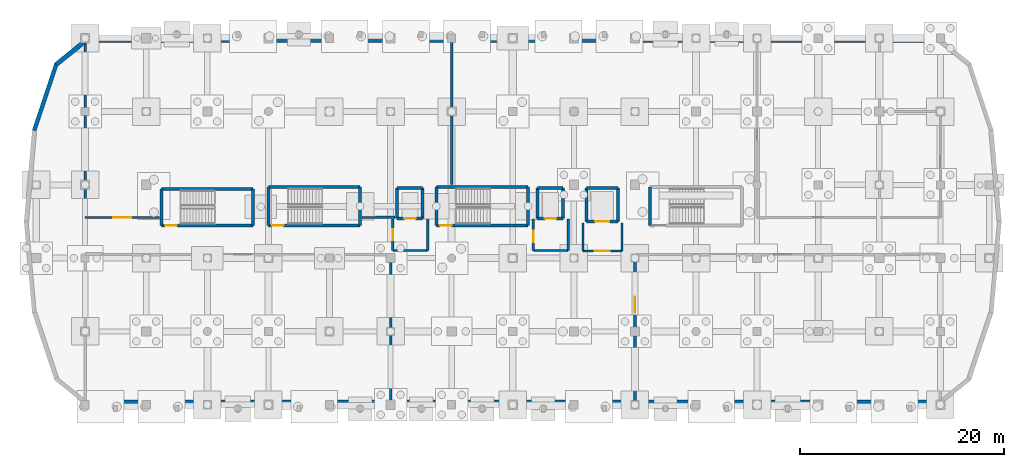
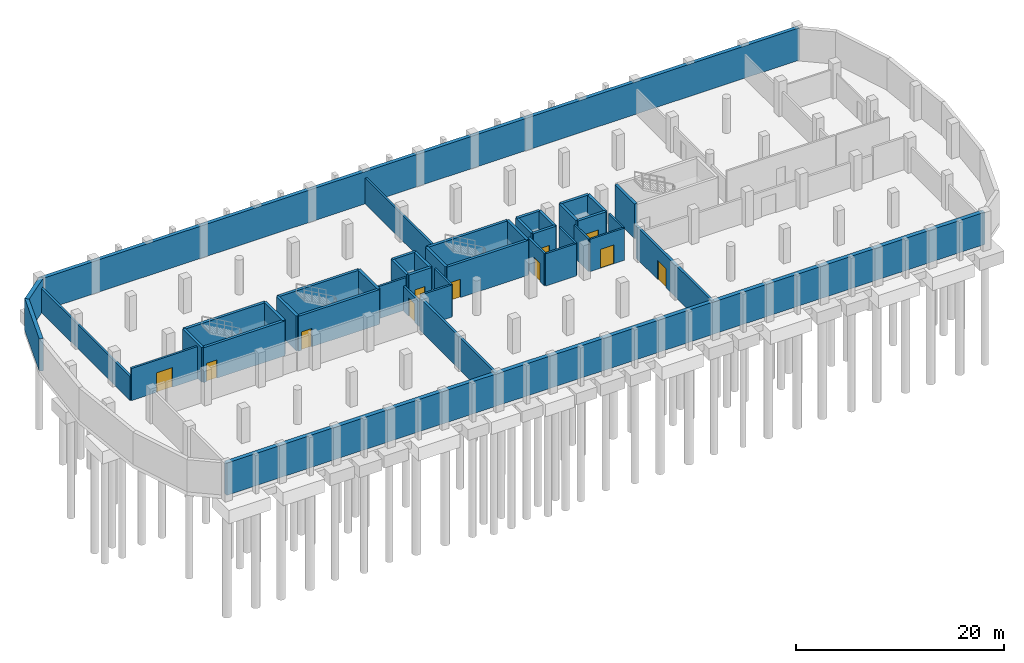
# One storey, part 6 of 11: 44 walls, 11 doors, 11 openings.
"""IFC4 building model written with IfcOpenShell, lengths in metres."""

import ifcopenshell
import ifcopenshell.guid

model = None  # the IFC model being written
_history = None  # IfcOwnerHistory: only IFC2X3 demands one
_inside = {}  # id of a spatial element -> (the spatial element, [elements in it])
_under = {}  # id of a project, library or spatial element -> (it, [spatial elements below it])
_declared = {}  # id of a project -> (the project, [libraries it declares])
_typed = {}  # id of a type object -> (the type object, [elements of that type])
_made_of = {}  # id of a material, layer set ... -> (it, [elements and type objects made of it])


def new_model(schema):
    """Start an empty IFC model of exactly this schema.

    Asked for "IFC4X3", IfcOpenShell would pick the latest addendum, in which some entities
    have other attributes; the version numbers below select the first issue.
    IFC2X3 requires an IfcOwnerHistory on every rooted entity: one is made here for all.
    """
    global model, _history
    if schema == "IFC4X3":
        model = ifcopenshell.file(schema_version=(4, 3, 0, 0))
    else:
        model = ifcopenshell.file(schema=schema)
    _inside.clear()
    _under.clear()
    _declared.clear()
    _typed.clear()
    _made_of.clear()
    _history = None
    if model.schema == "IFC2X3":
        org = make("IfcOrganization", Name="unknown")
        user = make(
            "IfcPersonAndOrganization",
            ThePerson=make("IfcPerson", FamilyName="unknown"),
            TheOrganization=org,
        )
        app = make(
            "IfcApplication",
            ApplicationDeveloper=org,
            Version="unknown",
            ApplicationFullName="unknown",
            ApplicationIdentifier="unknown",
        )
        _history = make(
            "IfcOwnerHistory",
            OwningUser=user,
            OwningApplication=app,
            ChangeAction="ADDED",
            CreationDate=0,
        )
    return model


def make(cls, **values):
    """One entity of the class cls with the attributes given. An attribute that is None is left unset."""
    return model.create_entity(
        cls, **{name: value for name, value in values.items() if value is not None}
    )


def rooted(cls, **values):
    """An entity with a GlobalId (a new one), such as an element, a storey or a relation."""
    return make(cls, GlobalId=ifcopenshell.guid.new(), OwnerHistory=_history, **values)


def si_unit(unit_type, name, prefix=None):
    """IfcSIUnit, for example si_unit("LENGTHUNIT", "METRE", prefix="MILLI")."""
    return make("IfcSIUnit", UnitType=unit_type, Prefix=prefix, Name=name)


def assignment(units):
    """IfcUnitAssignment: the units of a project."""
    return None if units is None else make("IfcUnitAssignment", Units=units)


def point(xyz):
    """IfcCartesianPoint."""
    return None if xyz is None else make("IfcCartesianPoint", Coordinates=xyz)


def direction(xyz):
    """IfcDirection."""
    return None if xyz is None else make("IfcDirection", DirectionRatios=xyz)


def frame(location, z_axis=None, x_axis=None):
    """IfcAxis2Placement3D, a coordinate frame: its origin and axes. An axis left out is left unset."""
    return make(
        "IfcAxis2Placement3D",
        Location=point(location),
        Axis=direction(z_axis),
        RefDirection=direction(x_axis),
    )


def frame_2d(location, x_axis=None):
    """IfcAxis2Placement2D, a coordinate frame in the plane: its origin and x axis."""
    return make(
        "IfcAxis2Placement2D", Location=point(location), RefDirection=direction(x_axis)
    )


def origin():
    """The frame at (0, 0, 0) with its axes left unset."""
    return frame((0.0, 0.0, 0.0))


def place(relative_to, where):
    """IfcLocalPlacement: puts the frame where relative to a parent placement (None: the world)."""
    return make(
        "IfcLocalPlacement", PlacementRelTo=relative_to, RelativePlacement=where
    )


def context(
    kind, dimensions, precision=None, world=None, true_north=None, identifier=None
):
    """IfcGeometricRepresentationContext, for example the 3D "Model" context."""
    return make(
        "IfcGeometricRepresentationContext",
        ContextIdentifier=identifier,
        ContextType=kind,
        CoordinateSpaceDimension=dimensions,
        Precision=precision,
        WorldCoordinateSystem=world,
        TrueNorth=true_north,
    )


def subcontext(parent, identifier, kind, view, scale=None):
    """IfcGeometricRepresentationSubContext, for example "Body" below "Model"."""
    return make(
        "IfcGeometricRepresentationSubContext",
        ContextIdentifier=identifier,
        ContextType=kind,
        ParentContext=parent,
        TargetScale=scale,
        TargetView=view,
    )


def project(units=None, contexts=None):
    """IfcProject with its units and contexts."""
    return rooted(
        "IfcProject",
        Name="project",
        RepresentationContexts=contexts,
        UnitsInContext=assignment(units),
    )


def spatial(cls, under=None, at=None, **own):
    """A site, building, storey or space (cls), placed at a placement, below another one or the project."""
    s = rooted(cls, ObjectPlacement=at, **own)
    if under is not None:
        _under.setdefault(under.id(), (under, []))[1].append(s)
    return s


def profile(cls, at=None, kind="AREA", **sizes):
    """A parametric profile (cls). Its sizes go by their IFC names, for example OverallWidth=200.0."""
    return make(cls, ProfileType=kind, Position=at, **sizes)


def rectangle(**sizes):
    """IfcRectangleProfileDef."""
    return profile("IfcRectangleProfileDef", **sizes)


def extrude(swept, where, along, depth):
    """IfcExtrudedAreaSolid: the profile swept, set in the frame where, extruded along a direction by depth."""
    return make(
        "IfcExtrudedAreaSolid",
        SweptArea=swept,
        Position=where,
        ExtrudedDirection=direction(along),
        Depth=depth,
    )


def shape(context_of_items, identifier, shape_type, items):
    """IfcShapeRepresentation: the items that make up one representation, for example the "Body"."""
    return make(
        "IfcShapeRepresentation",
        ContextOfItems=context_of_items,
        RepresentationIdentifier=identifier,
        RepresentationType=shape_type,
        Items=items,
    )


def material(Name=None, Category=None):
    """IfcMaterial."""
    return make("IfcMaterial", Name=Name, Category=Category)


def layer(
    of_material, thickness, ventilated=None, Name=None, Category=None, Priority=None
):
    """IfcMaterialLayer: one layer of a wall or slab, of a material (None: an air gap)."""
    return make(
        "IfcMaterialLayer",
        Material=of_material,
        LayerThickness=thickness,
        IsVentilated=ventilated,
        Name=Name,
        Category=Category,
        Priority=Priority,
    )


def layer_set(layers, Name=None):
    """IfcMaterialLayerSet."""
    return make("IfcMaterialLayerSet", MaterialLayers=layers, LayerSetName=Name)


def made_of(thing, what):
    """Note that an element or type object is made of a material, layer set ...; save() writes the relation."""
    if what is not None:
        _made_of.setdefault(what.id(), (what, []))[1].append(thing)
    return thing


def type_object(cls, material=None, **own):
    """A type object (cls), such as IfcWallType, which elements share."""
    return made_of(rooted(cls, **own), material)


def element(
    cls,
    number,
    at=None,
    inside=None,
    cuts=None,
    type_object=None,
    material=None,
    context=None,
    identifier="Body",
    shape_type=None,
    held_by="IfcProductDefinitionShape",
    body=None,
    shapes=None,
    **own,
):
    """One element of the class cls, such as IfcWall. Its Tag is "e" and its number.

    at: its placement. inside: the storey or other place that contains it. cuts: it is an
    opening in that element (IfcRelVoidsElement). A single representation is given by context,
    identifier, shape_type and body (its items); several are given by shapes. held_by: the class
    of the entity that holds the representations. save() writes the other relations.
    """
    e = rooted(cls, Tag="e%d" % number, ObjectPlacement=at, **own)
    if body is not None:
        shapes = [shape(context, identifier, shape_type, body)]
    if shapes is not None:
        e.Representation = make(held_by, Representations=shapes)
    if inside is not None:
        _inside.setdefault(inside.id(), (inside, []))[1].append(e)
    if cuts is not None:
        rooted(
            "IfcRelVoidsElement", RelatingBuildingElement=cuts, RelatedOpeningElement=e
        )
    if type_object is not None:
        _typed.setdefault(type_object.id(), (type_object, []))[1].append(e)
    return made_of(e, material)


def fill(opening, filler):
    """IfcRelFillsElement: the door or window that sits in an opening."""
    return rooted(
        "IfcRelFillsElement",
        RelatingOpeningElement=opening,
        RelatedBuildingElement=filler,
    )


def aggregate(whole, parts):
    """IfcRelAggregates: a whole, such as a stair, and the parts it consists of."""
    return rooted("IfcRelAggregates", RelatingObject=whole, RelatedObjects=parts)


def save(model, path):
    """Write the relations noted so far, then the file.

    IfcRelAggregates (storeys below a building ...), IfcRelContainedInSpatialStructure (elements
    in a storey), IfcRelDefinesByType, IfcRelAssociatesMaterial and IfcRelDeclares: one each for
    every whole, place, type object, material and project.
    """
    for whole, parts in _under.values():
        aggregate(whole, parts)
    for where, things in _inside.values():
        rooted(
            "IfcRelContainedInSpatialStructure",
            RelatedElements=things,
            RelatingStructure=where,
        )
    for kind, things in _typed.values():
        rooted("IfcRelDefinesByType", RelatedObjects=things, RelatingType=kind)
    for what, things in _made_of.values():
        rooted("IfcRelAssociatesMaterial", RelatedObjects=things, RelatingMaterial=what)
    for by, libraries in _declared.values():
        rooted("IfcRelDeclares", RelatingContext=by, RelatedDefinitions=libraries)
    model.write(path)


model = new_model("IFC4")

# Units and contexts
model_context = context("Model", 3, precision=1e-05, world=origin(), true_north=direction((0.0, 1.0)))
body_context = subcontext(model_context, "Body", "Model", "MODEL_VIEW")
ifc_project = project(units=[si_unit("LENGTHUNIT", "METRE"), si_unit("AREAUNIT", "SQUARE_METRE"), si_unit("VOLUMEUNIT", "CUBIC_METRE"), si_unit("PLANEANGLEUNIT", "RADIAN"), si_unit("MASSUNIT", "GRAM", prefix="KILO")], contexts=[model_context])

# Site, building, storey
site_placement = place(None, origin())
site = spatial("IfcSite", under=ifc_project, at=site_placement, CompositionType="ELEMENT")
building_placement = place(site_placement, origin())
building = spatial("IfcBuilding", under=site, at=building_placement, Name="Dunvalen Ferry Terminal", CompositionType="ELEMENT")
storey_placement = place(building_placement, frame((0.0, 0.0, -4.080078125)))
storey = spatial("IfcBuildingStorey", under=building, at=storey_placement, Name="B1", CompositionType="ELEMENT", Elevation=-4.080078125)

# Wall, opening, door
ifc_material_1 = material(Name="Autoclaved aerated concrete blockwork", Category="masonry")
ifc_layer_1 = layer(ifc_material_1, 0.199951171875, Name="Autoclaved aerated concrete blockwork")
ifc_layer_set_1 = layer_set([ifc_layer_1], Name="Autoclaved aerated concrete blockwork")
wall_type_1 = type_object("IfcWallType", Name="INT-WL-CMP200", PredefinedType="PARTITIONING", material=ifc_layer_set_1)
wall_1_placement = place(storey_placement, frame((54.889892578125, 15.090087890625, 0.0), z_axis=(0.0, 0.0, 1.0), x_axis=(1.0, 0.0, 0.0)))
wall_1 = element("IfcWall", 1, at=wall_1_placement, inside=storey, type_object=wall_type_1, Name="B1 B1 Lift Lobby LG-01 Partition 1", PredefinedType="PARTITIONING", context=body_context, shape_type="SweptSolid", body=[
    extrude(rectangle(XDim=3.820068359375, YDim=0.199951171875, at=frame_2d((1.91015625, 0.0))), origin(), (0.0, 0.0, 1.0), 3.780029296875),
])
opening_1_placement = place(wall_1_placement, frame((1.159912109375, 0.0, 0.0)))
opening_1 = element("IfcOpeningElement", 2, at=opening_1_placement, cuts=wall_1, Name="Opening ID-04", PredefinedType="OPENING", context=body_context, shape_type="SweptSolid", body=[
    extrude(rectangle(XDim=1.5, YDim=2.199951171875, at=frame_2d((0.75, 1.10009765625))), frame((0.0, 0.10986328125, 0.0), z_axis=(0.0, -1.0, 0.0), x_axis=(1.0, 0.0, 0.0)), (0.0, 0.0, 1.0), 0.219970703125),
])
ifc_material_2 = material(Name="Anodised aluminium glazed fire door", Category="aluminium")
door_type_1 = type_object("IfcDoorType", Name="INT-DR-LOB-1500", OperationType="DOUBLE_SWING_LEFT", PredefinedType="DOOR", material=ifc_material_2)
door_1_placement = place(opening_1_placement, origin())
door_1 = element("IfcDoor", 3, at=door_1_placement, inside=storey, type_object=door_type_1, Name="B1 Lift Lobby LG-01 Door", OperationType="DOUBLE_SWING_LEFT", OverallHeight=2.199951171875, OverallWidth=1.5, PredefinedType="DOOR", context=body_context, shape_type="SweptSolid", body=[
    extrude(rectangle(XDim=1.5, YDim=2.199951171875, at=frame_2d((0.75, 1.10009765625))), frame((0.0, 0.02490234375, 0.0), z_axis=(0.0, -1.0, 0.0), x_axis=(1.0, 0.0, 0.0)), (0.0, 0.0, 1.0), 0.050048828125),
])
fill(opening_1, door_1)

# Walls
for number, where, z_axis, x_axis, name in (
    (4, (58.7099609375, 15.090087890625, 0.0), (0.0, 0.0, 1.0), (0.0, 1.0, 0.0), "B1 B1 Lift Lobby LG-01 Partition 2"),
    (5, (54.889892578125, 17.860107421875, 0.0), (0.0, 0.0, 1.0), (0.0, -1.0, 0.0), "B1 B1 Lift Lobby LG-01 Partition 10"),
):
    element("IfcWall", number, at=place(storey_placement, frame(where, z_axis=z_axis, x_axis=x_axis)), inside=storey, type_object=wall_type_1, Name=name, PredefinedType="PARTITIONING", context=body_context, shape_type="SweptSolid", body=[
        extrude(rectangle(XDim=2.77001953125, YDim=0.199951171875, at=frame_2d((1.385009765625, 0.0))), origin(), (0.0, 0.0, 1.0), 3.780029296875),
    ])

# Wall, opening, door
ifc_material_3 = material(Name="Concrete C35/45", Category="concrete")
ifc_layer_2 = layer(ifc_material_3, 0.219970703125, Name="Concrete C35/45")
ifc_layer_set_2 = layer_set([ifc_layer_2], Name="Concrete C35/45")
wall_type_2 = type_object("IfcWallType", Name="INT-WL-CMP220", PredefinedType="SOLIDWALL", material=ifc_layer_set_2)
wall_2_placement = place(storey_placement, frame((36.219970703125, 18.25, 0.0), z_axis=(0.0, 0.0, 1.0), x_axis=(0.0, -1.0, 0.0)))
wall_2 = element("IfcWall", 6, at=wall_2_placement, inside=storey, type_object=wall_type_2, Name="B1 B1 Firefighting Lift Lobby LF-01 Partition 2", PredefinedType="SOLIDWALL", context=body_context, shape_type="SweptSolid", body=[
    extrude(rectangle(XDim=3.110107421875, YDim=0.219970703125, at=frame_2d((1.55517578125, 0.0))), origin(), (0.0, 0.0, 1.0), 2.920166015625),
])
opening_2_placement = place(wall_2_placement, frame((1.0048828125, 0.0, 0.0)))
opening_2 = element("IfcOpeningElement", 7, at=opening_2_placement, cuts=wall_2, Name="Opening ID-03", PredefinedType="OPENING", context=body_context, shape_type="SweptSolid", body=[
    extrude(rectangle(XDim=1.10009765625, YDim=2.14990234375, at=frame_2d((0.550048828125, 1.074951171875))), frame((0.0, 0.1201171875, 0.0), z_axis=(0.0, -1.0, 0.0), x_axis=(1.0, 0.0, 0.0)), (0.0, 0.0, 1.0), 0.239990234375),
])
ifc_material_4 = material(Name="Powder-coated steel fire door", Category="steel")
door_type_2 = type_object("IfcDoorType", Name="INT-DR-FFL-1100", OperationType="NOTDEFINED", PredefinedType="DOOR", material=ifc_material_4)
door_2_placement = place(opening_2_placement, origin())
door_2 = element("IfcDoor", 8, at=door_2_placement, inside=storey, type_object=door_type_2, Name="B1 Firefighting Lift Lobby LF-01 Door", OperationType="SINGLE_SWING_RIGHT", OverallHeight=2.14990234375, OverallWidth=1.10009765625, PredefinedType="DOOR", context=body_context, shape_type="SweptSolid", body=[
    extrude(rectangle(XDim=1.10009765625, YDim=2.14990234375, at=frame_2d((0.550048828125, 1.074951171875))), frame((0.0, 0.02490234375, 0.0), z_axis=(0.0, -1.0, 0.0), x_axis=(1.0, 0.0, 0.0)), (0.0, 0.0, 1.0), 0.050048828125),
])
fill(opening_2, door_2)

# Walls
wall_3_placement = place(storey_placement, frame((36.219970703125, 15.139892578125, 0.0), z_axis=(0.0, 0.0, 1.0), x_axis=(1.0, 0.0, 0.0)))
element("IfcWall", 9, at=wall_3_placement, inside=storey, type_object=wall_type_2, Name="B1 B1 Firefighting Lift Lobby LF-01 Partition 3", PredefinedType="SOLIDWALL", context=body_context, shape_type="SweptSolid", body=[
    extrude(rectangle(XDim=3.419921875, YDim=0.219970703125, at=frame_2d((1.7099609375, 0.0))), origin(), (0.0, 0.0, 1.0), 3.780029296875),
])
wall_4_placement = place(storey_placement, frame((39.639892578125, 15.139892578125, 0.0), z_axis=(0.0, 0.0, 1.0), x_axis=(0.0, 1.0, 0.0)))
element("IfcWall", 10, at=wall_4_placement, inside=storey, type_object=wall_type_2, Name="B1 B1 Firefighting Lift Lobby LF-01 Partition 4", PredefinedType="SOLIDWALL", context=body_context, shape_type="SweptSolid", body=[
    extrude(rectangle(XDim=3.110107421875, YDim=0.219970703125, at=frame_2d((1.55517578125, 0.0))), origin(), (0.0, 0.0, 1.0), 3.780029296875),
])

# Wall, opening, door
wall_5_placement = place(storey_placement, frame((50.02001953125, 18.25, 0.0), z_axis=(0.0, 0.0, 1.0), x_axis=(0.0, -1.0, 0.0)))
wall_5 = element("IfcWall", 11, at=wall_5_placement, inside=storey, type_object=wall_type_2, Name="B1 B1 Firefighting Lift Lobby LF-02 Partition 2", PredefinedType="SOLIDWALL", context=body_context, shape_type="SweptSolid", body=[
    extrude(rectangle(XDim=3.110107421875, YDim=0.219970703125, at=frame_2d((1.55517578125, 0.0))), origin(), (0.0, 0.0, 1.0), 3.780029296875),
])
opening_3_placement = place(wall_5_placement, frame((1.171142578125, 0.0, 0.0)))
opening_3 = element("IfcOpeningElement", 12, at=opening_3_placement, cuts=wall_5, Name="Opening ID-03", PredefinedType="OPENING", context=body_context, shape_type="SweptSolid", body=[
    extrude(rectangle(XDim=1.10009765625, YDim=2.14990234375, at=frame_2d((0.550048828125, 1.074951171875))), frame((0.0, 0.1201171875, 0.0), z_axis=(0.0, -1.0, 0.0), x_axis=(1.0, 0.0, 0.0)), (0.0, 0.0, 1.0), 0.239990234375),
])
door_3_placement = place(opening_3_placement, origin())
door_3 = element("IfcDoor", 13, at=door_3_placement, inside=storey, type_object=door_type_2, Name="B1 Firefighting Lift Lobby LF-02 Door", OperationType="SINGLE_SWING_RIGHT", OverallHeight=2.14990234375, OverallWidth=1.10009765625, PredefinedType="DOOR", context=body_context, shape_type="SweptSolid", body=[
    extrude(rectangle(XDim=1.10009765625, YDim=2.14990234375, at=frame_2d((0.550048828125, 1.074951171875))), frame((0.0, 0.02490234375, 0.0), z_axis=(0.0, -1.0, 0.0), x_axis=(1.0, 0.0, 0.0)), (0.0, 0.0, 1.0), 0.050048828125),
])
fill(opening_3, door_3)

# Walls
wall_6_placement = place(storey_placement, frame((50.02001953125, 15.139892578125, 0.0), z_axis=(0.0, 0.0, 1.0), x_axis=(1.0, 0.0, 0.0)))
element("IfcWall", 14, at=wall_6_placement, inside=storey, type_object=wall_type_2, Name="B1 B1 Firefighting Lift Lobby LF-02 Partition 3", PredefinedType="SOLIDWALL", context=body_context, shape_type="SweptSolid", body=[
    extrude(rectangle(XDim=3.419921875, YDim=0.219970703125, at=frame_2d((1.7099609375, 0.0))), origin(), (0.0, 0.0, 1.0), 3.780029296875),
])
wall_7_placement = place(storey_placement, frame((53.43994140625, 15.139892578125, 0.0), z_axis=(0.0, 0.0, 1.0), x_axis=(0.0, 1.0, 0.0)))
element("IfcWall", 15, at=wall_7_placement, inside=storey, type_object=wall_type_2, Name="B1 B1 Firefighting Lift Lobby LF-02 Partition 4", PredefinedType="SOLIDWALL", context=body_context, shape_type="SweptSolid", body=[
    extrude(rectangle(XDim=3.110107421875, YDim=0.219970703125, at=frame_2d((1.55517578125, 0.0))), origin(), (0.0, 0.0, 1.0), 3.780029296875),
])
wall_8_placement = place(storey_placement, frame((33.2099609375, 18.39990234375, 0.0), z_axis=(0.0, 0.0, 1.0), x_axis=(0.99999519808, 0.003099002503, 0.0)))
element("IfcWall", 16, at=wall_8_placement, inside=storey, type_object=wall_type_2, Name="B1 B1 Outbound Baggage Vault and Conveying Hall Partition 2", PredefinedType="SOLIDWALL", context=body_context, shape_type="SweptSolid", body=[
    extrude(rectangle(XDim=3.22998046875, YDim=0.219970703125, at=frame_2d((1.614990234375, 0.0))), origin(), (0.0, 0.0, 1.0), 3.780029296875),
])
wall_9_placement = place(storey_placement, frame((42.0, 21.610107421875, 0.0), z_axis=(0.0, 0.0, 1.0), x_axis=(0.0, 1.0, 0.0)))
element("IfcWall", 17, at=wall_9_placement, inside=storey, type_object=wall_type_2, Name="B1 B1 Outbound Baggage Vault and Conveying Hall Partition 11", PredefinedType="SOLIDWALL", context=body_context, shape_type="SweptSolid", body=[
    extrude(rectangle(XDim=14.169921875, YDim=0.219970703125, at=frame_2d((7.0849609375, 0.0))), origin(), (0.0, 0.0, 1.0), 3.02001953125),
])
wall_10_placement = place(storey_placement, frame((6.0, 35.7177734375, 0.0), z_axis=(0.0, 0.0, 1.0), x_axis=(0.0, -1.0, 0.0)))
element("IfcWall", 18, at=wall_10_placement, inside=storey, type_object=wall_type_2, Name="B1 B1 Outbound Baggage Vault and Conveying Hall Partition 14", PredefinedType="SOLIDWALL", context=body_context, shape_type="SweptSolid", body=[
    extrude(rectangle(XDim=17.31787109375, YDim=0.219970703125, at=frame_2d((8.658935546875, 0.0))), origin(), (0.0, 0.0, 1.0), 2.820068359375),
])

# Wall, opening, door
wall_11_placement = place(storey_placement, frame((6.0, 18.39990234375, 0.0), z_axis=(0.0, 0.0, 1.0), x_axis=(1.0, 0.0, 0.0)))
wall_11 = element("IfcWall", 19, at=wall_11_placement, inside=storey, type_object=wall_type_2, Name="B1 B1 Outbound Baggage Vault and Conveying Hall Partition 15", PredefinedType="SOLIDWALL", context=body_context, shape_type="SweptSolid", body=[
    extrude(rectangle(XDim=7.2900390625, YDim=0.219970703125, at=frame_2d((3.64501953125, 0.0))), origin(), (0.0, 0.0, 1.0), 3.780029296875),
])
opening_4_placement = place(wall_11_placement, frame((2.7451171875, 0.0, 0.0)))
opening_4 = element("IfcOpeningElement", 20, at=opening_4_placement, cuts=wall_11, Name="Opening ID-07", PredefinedType="OPENING", context=body_context, shape_type="SweptSolid", body=[
    extrude(rectangle(XDim=1.800048828125, YDim=2.300048828125, at=frame_2d((0.89990234375, 1.14990234375))), frame((0.0, 0.1201171875, 0.0), z_axis=(0.0, -1.0, 0.0), x_axis=(1.0, 0.0, 0.0)), (0.0, 0.0, 1.0), 0.239990234375),
])
ifc_material_5 = material(Name="Thermally broken aluminium fire door", Category="aluminium")
door_type_3 = type_object("IfcDoorType", Name="INT-DR-ANX-1800", OperationType="DOUBLE_SWING_LEFT", PredefinedType="DOOR", material=ifc_material_5)
door_4_placement = place(opening_4_placement, origin())
door_4 = element("IfcDoor", 21, at=door_4_placement, inside=storey, type_object=door_type_3, Name="B1 Outbound Baggage Vault and Conveying Hall Door", OperationType="DOUBLE_SWING_LEFT", OverallHeight=2.300048828125, OverallWidth=1.800048828125, PredefinedType="DOOR", context=body_context, shape_type="SweptSolid", body=[
    extrude(rectangle(XDim=1.800048828125, YDim=2.300048828125, at=frame_2d((0.89990234375, 1.14990234375))), frame((0.0, 0.02490234375, 0.0), z_axis=(0.0, -1.0, 0.0), x_axis=(1.0, 0.0, 0.0)), (0.0, 0.0, 1.0), 0.050048828125),
])
fill(opening_4, door_4)

# Wall
ifc_layer_3 = layer(ifc_material_3, 0.260009765625, Name="Concrete C35/45")
ifc_layer_set_3 = layer_set([ifc_layer_3], Name="Concrete C35/45")
wall_type_3 = type_object("IfcWallType", Name="INT-WL-CMP260", PredefinedType="SOLIDWALL", material=ifc_layer_set_3)
wall_12_placement = place(storey_placement, frame((36.0, 0.219970703125, 0.0), z_axis=(0.0, 0.0, 1.0), x_axis=(0.0, 1.0, 0.0)))
element("IfcWall", 22, at=wall_12_placement, inside=storey, type_object=wall_type_3, Name="B1 B1 Terminal Marine Heat-Pump Plant Room Partition 4", PredefinedType="SOLIDWALL", context=body_context, shape_type="SweptSolid", body=[
    extrude(rectangle(XDim=14.52001953125, YDim=0.260009765625, at=frame_2d((7.260009765625, 0.0))), origin(), (0.0, 0.0, 1.0), 3.780029296875),
])

# Wall, opening, door
wall_13_placement = place(storey_placement, frame((60.0, 0.219970703125, 0.0), z_axis=(0.0, 0.0, 1.0), x_axis=(0.0, 1.0, 0.0)))
wall_13 = element("IfcWall", 23, at=wall_13_placement, inside=storey, type_object=wall_type_3, Name="B1 B1 Primary Electrical Substation and Switchroom Partition 3", PredefinedType="SOLIDWALL", context=body_context, shape_type="SweptSolid", body=[
    extrude(rectangle(XDim=14.52001953125, YDim=0.260009765625, at=frame_2d((7.260009765625, 0.0))), origin(), (0.0, 0.0, 1.0), 3.780029296875),
])
opening_5_placement = place(wall_13_placement, frame((8.80224609375, 0.0, 0.0)))
opening_5 = element("IfcOpeningElement", 24, at=opening_5_placement, cuts=wall_13, Name="Opening ID-05", PredefinedType="OPENING", context=body_context, shape_type="SweptSolid", body=[
    extrude(rectangle(XDim=1.60009765625, YDim=2.25, at=frame_2d((0.800048828125, 1.125))), frame((0.0, 0.14013671875, 0.0), z_axis=(0.0, -1.0, 0.0), x_axis=(1.0, 0.0, 0.0)), (0.0, 0.0, 1.0), 0.280029296875),
])
ifc_material_6 = material(Name="Galvanised acoustic steel fire door", Category="steel")
door_type_4 = type_object("IfcDoorType", Name="INT-DR-PLT-1600", OperationType="DOUBLE_SWING_LEFT", PredefinedType="DOOR", material=ifc_material_6)
door_5_placement = place(opening_5_placement, origin())
door_5 = element("IfcDoor", 25, at=door_5_placement, inside=storey, type_object=door_type_4, Name="B1 Primary Electrical Substation and Switchroom Door", OperationType="DOUBLE_SWING_LEFT", OverallHeight=2.25, OverallWidth=1.60009765625, PredefinedType="DOOR", context=body_context, shape_type="SweptSolid", body=[
    extrude(rectangle(XDim=1.60009765625, YDim=2.25, at=frame_2d((0.800048828125, 1.125))), frame((0.0, 0.02490234375, 0.0), z_axis=(0.0, -1.0, 0.0), x_axis=(1.0, 0.0, 0.0)), (0.0, 0.0, 1.0), 0.050048828125),
])
fill(opening_5, door_5)

# Walls
ifc_material_7 = material(Name="Concrete C40/50", Category="concrete")
ifc_layer_4 = layer(ifc_material_7, 0.39990234375, Name="Concrete C40/50")
ifc_layer_set_4 = layer_set([ifc_layer_4], Name="Concrete C40/50")
wall_type_4 = type_object("IfcWallType", Name="STR-WL-RET400", PredefinedType="USERDEFINED", material=ifc_layer_set_4)
wall_14_placement = place(storey_placement, frame((90.0, 35.800048828125, 0.0), z_axis=(0.0, 0.0, 1.0), x_axis=(-1.0, 0.0, 0.0)))
element("IfcWall", 26, at=wall_14_placement, inside=storey, type_object=wall_type_4, Name="B1 Perimeter Retaining Wall 08", ObjectType="RETAINING WALL", PredefinedType="USERDEFINED", context=body_context, shape_type="SweptSolid", body=[
    extrude(rectangle(XDim=84.0, YDim=0.39990234375, at=frame_2d((42.0, 0.0))), origin(), (0.0, 0.0, 1.0), 3.780029296875),
])
wall_15_placement = place(storey_placement, frame((3.189697265625, 33.525390625, 0.0), z_axis=(0.0, 0.0, 1.0), x_axis=(-0.316238311961, -0.948679782671, 0.0)))
element("IfcWall", 27, at=wall_15_placement, inside=storey, type_object=wall_type_4, Name="B1 Perimeter Retaining Wall 10", ObjectType="RETAINING WALL", PredefinedType="USERDEFINED", context=body_context, shape_type="SweptSolid", body=[
    extrude(rectangle(XDim=6.945068359375, YDim=0.39990234375, at=frame_2d((3.47265625, 0.0))), origin(), (0.0, 0.0, 1.0), 3.780029296875),
])
ifc_layer_5 = layer(ifc_material_7, 0.449951171875, Name="Concrete C40/50")
ifc_layer_set_5 = layer_set([ifc_layer_5], Name="Concrete C40/50")
wall_type_5 = type_object("IfcWallType", Name="STR-WL-RET450", PredefinedType="USERDEFINED", material=ifc_layer_set_5)
wall_16_placement = place(storey_placement, frame((6.0, 0.22509765625, 0.0), z_axis=(0.0, 0.0, 1.0), x_axis=(1.0, 0.0, 0.0)))
element("IfcWall", 28, at=wall_16_placement, inside=storey, type_object=wall_type_5, Name="B1 Perimeter Retaining Wall 01", ObjectType="RETAINING WALL", PredefinedType="USERDEFINED", context=body_context, shape_type="SweptSolid", body=[
    extrude(rectangle(XDim=84.0, YDim=0.449951171875, at=frame_2d((42.0, 0.0))), origin(), (0.0, 0.0, 1.0), 3.780029296875),
])
wall_17_placement = place(storey_placement, frame((6.14111328125, 35.82470703125, 0.0), z_axis=(0.0, 0.0, 1.0), x_axis=(-0.779393889884, -0.626534248395, 0.0)))
element("IfcWall", 29, at=wall_17_placement, inside=storey, type_object=wall_type_5, Name="B1 Perimeter Retaining Wall 09", ObjectType="RETAINING WALL", PredefinedType="USERDEFINED", context=body_context, shape_type="SweptSolid", body=[
    extrude(rectangle(XDim=3.84912109375, YDim=0.449951171875, at=frame_2d((1.924560546875, 0.0))), origin(), (0.0, 0.0, 1.0), 3.780029296875),
])
ifc_layer_6 = layer(ifc_material_7, 0.300048828125, Name="Concrete C40/50")
ifc_layer_set_6 = layer_set([ifc_layer_6], Name="Concrete C40/50")
wall_type_6 = type_object("IfcWallType", Name="STR-WL-SHR300", PredefinedType="SHEAR", material=ifc_layer_set_6)
for number, where, z_axis, x_axis, name in (
    (30, (24.0, 17.60009765625, 0.0), (0.0, 0.0, 1.0), (0.0, 1.0, 0.0), "B1 ST1 Core West Shear Wall"),
    (31, (33.0, 17.60009765625, 0.0), (0.0, 0.0, 1.0), (0.0, 1.0, 0.0), "B1 ST1 Core East Shear Wall"),
    (32, (40.5, 17.60009765625, 0.0), (0.0, 0.0, 1.0), (0.0, 1.0, 0.0), "B1 ST2 Core West Shear Wall"),
    (33, (49.5, 17.60009765625, 0.0), (0.0, 0.0, 1.0), (0.0, 1.0, 0.0), "B1 ST2 Core East Shear Wall"),
    (34, (61.5, 17.60009765625, 0.0), (0.0, 0.0, 1.0), (0.0, 1.0, 0.0), "B1 ST3 Core West Shear Wall"),
):
    element("IfcWall", number, at=place(storey_placement, frame(where, z_axis=z_axis, x_axis=x_axis)), inside=storey, type_object=wall_type_6, Name=name, PredefinedType="SHEAR", context=body_context, shape_type="SweptSolid", body=[
        extrude(rectangle(XDim=3.7998046875, YDim=0.300048828125, at=frame_2d((1.89990234375, 0.0))), origin(), (0.0, 0.0, 1.0), 4.080078125),
    ])
for number, where, z_axis, x_axis, name in (
    (35, (13.5, 17.60009765625, 0.0), (0.0, 0.0, 1.0), (0.0, 1.0, 0.0), "B1 ST5 Core West Shear Wall"),
    (36, (22.5, 17.60009765625, 0.0), (0.0, 0.0, 1.0), (0.0, 1.0, 0.0), "B1 ST5 Core East Shear Wall"),
):
    element("IfcWall", number, at=place(storey_placement, frame(where, z_axis=z_axis, x_axis=x_axis)), inside=storey, type_object=wall_type_6, Name=name, PredefinedType="SHEAR", context=body_context, shape_type="SweptSolid", body=[
        extrude(rectangle(XDim=3.599853515625, YDim=0.300048828125, at=frame_2d((1.7998046875, 0.0))), origin(), (0.0, 0.0, 1.0), 4.080078125),
    ])
wall_18_placement = place(storey_placement, frame((24.0, 21.39990234375, 0.0), z_axis=(0.0, 0.0, 1.0), x_axis=(1.0, 0.0, 0.0)))
element("IfcWall", 37, at=wall_18_placement, inside=storey, type_object=wall_type_6, Name="B1 ST1 Core North Shear Wall", PredefinedType="SHEAR", context=body_context, shape_type="SweptSolid", body=[
    extrude(rectangle(XDim=9.0, YDim=0.300048828125, at=frame_2d((4.5, 0.0))), origin(), (0.0, 0.0, 1.0), 4.080078125),
])

# Wall, opening, door
wall_19_placement = place(storey_placement, frame((24.0, 17.60009765625, 0.0), z_axis=(0.0, 0.0, 1.0), x_axis=(1.0, 0.0, 0.0)))
wall_19 = element("IfcWall", 38, at=wall_19_placement, inside=storey, type_object=wall_type_6, Name="B1 ST1 Core South Shear Wall", PredefinedType="SHEAR", context=body_context, shape_type="SweptSolid", body=[
    extrude(rectangle(XDim=9.0, YDim=0.300048828125, at=frame_2d((4.5, 0.0))), origin(), (0.0, 0.0, 1.0), 4.080078125),
])
opening_6_placement = place(wall_19_placement, frame((0.35009765625, 0.0, 0.0)))
opening_6 = element("IfcOpeningElement", 39, at=opening_6_placement, cuts=wall_19, Name="Opening ID-02", PredefinedType="OPENING", context=body_context, shape_type="SweptSolid", body=[
    extrude(rectangle(XDim=1.14990234375, YDim=2.14990234375, at=frame_2d((0.574951171875, 1.074951171875))), frame((0.0, 0.16015625, 0.0), z_axis=(0.0, -1.0, 0.0), x_axis=(1.0, 0.0, 0.0)), (0.0, 0.0, 1.0), 0.320068359375),
])
door_type_5 = type_object("IfcDoorType", Name="INT-DR-STR-1150", OperationType="NOTDEFINED", PredefinedType="DOOR", material=ifc_material_4)
door_6_placement = place(opening_6_placement, frame((1.14990234375, 0.0, 0.0), z_axis=(0.0, 0.0, 1.0), x_axis=(-1.0, 0.0, 0.0)))
door_6 = element("IfcDoor", 40, at=door_6_placement, inside=storey, type_object=door_type_5, Name="B1 ST1 Escape Stair Fire Door", OperationType="SINGLE_SWING_LEFT", OverallHeight=2.14990234375, OverallWidth=1.14990234375, PredefinedType="DOOR", context=body_context, shape_type="SweptSolid", body=[
    extrude(rectangle(XDim=1.14990234375, YDim=2.14990234375, at=frame_2d((0.574951171875, 1.074951171875))), frame((0.0, 0.02490234375, 0.0), z_axis=(0.0, -1.0, 0.0), x_axis=(1.0, 0.0, 0.0)), (0.0, 0.0, 1.0), 0.050048828125),
])
fill(opening_6, door_6)

# Wall
wall_20_placement = place(storey_placement, frame((40.5, 21.39990234375, 0.0), z_axis=(0.0, 0.0, 1.0), x_axis=(1.0, 0.0, 0.0)))
element("IfcWall", 41, at=wall_20_placement, inside=storey, type_object=wall_type_6, Name="B1 ST2 Core North Shear Wall", PredefinedType="SHEAR", context=body_context, shape_type="SweptSolid", body=[
    extrude(rectangle(XDim=9.0, YDim=0.300048828125, at=frame_2d((4.5, 0.0))), origin(), (0.0, 0.0, 1.0), 4.080078125),
])

# Wall, opening, door
wall_21_placement = place(storey_placement, frame((40.5, 17.60009765625, 0.0), z_axis=(0.0, 0.0, 1.0), x_axis=(1.0, 0.0, 0.0)))
wall_21 = element("IfcWall", 42, at=wall_21_placement, inside=storey, type_object=wall_type_6, Name="B1 ST2 Core South Shear Wall", PredefinedType="SHEAR", context=body_context, shape_type="SweptSolid", body=[
    extrude(rectangle(XDim=9.0, YDim=0.300048828125, at=frame_2d((4.5, 0.0))), origin(), (0.0, 0.0, 1.0), 4.080078125),
])
opening_7_placement = place(wall_21_placement, frame((0.35009765625, 0.0, 0.0)))
opening_7 = element("IfcOpeningElement", 43, at=opening_7_placement, cuts=wall_21, Name="Opening ID-02", PredefinedType="OPENING", context=body_context, shape_type="SweptSolid", body=[
    extrude(rectangle(XDim=1.14990234375, YDim=2.14990234375, at=frame_2d((0.574951171875, 1.074951171875))), frame((0.0, 0.16015625, 0.0), z_axis=(0.0, -1.0, 0.0), x_axis=(1.0, 0.0, 0.0)), (0.0, 0.0, 1.0), 0.320068359375),
])
door_7_placement = place(opening_7_placement, frame((1.14990234375, 0.0, 0.0), z_axis=(0.0, 0.0, 1.0), x_axis=(-1.0, 0.0, 0.0)))
door_7 = element("IfcDoor", 44, at=door_7_placement, inside=storey, type_object=door_type_5, Name="B1 ST2 Escape Stair Fire Door", OperationType="SINGLE_SWING_LEFT", OverallHeight=2.14990234375, OverallWidth=1.14990234375, PredefinedType="DOOR", context=body_context, shape_type="SweptSolid", body=[
    extrude(rectangle(XDim=1.14990234375, YDim=2.14990234375, at=frame_2d((0.574951171875, 1.074951171875))), frame((0.0, 0.02490234375, 0.0), z_axis=(0.0, -1.0, 0.0), x_axis=(1.0, 0.0, 0.0)), (0.0, 0.0, 1.0), 0.050048828125),
])
fill(opening_7, door_7)

# Wall
wall_22_placement = place(storey_placement, frame((13.5, 21.199951171875, 0.0), z_axis=(0.0, 0.0, 1.0), x_axis=(1.0, 0.0, 0.0)))
element("IfcWall", 45, at=wall_22_placement, inside=storey, type_object=wall_type_6, Name="B1 ST5 Core North Shear Wall", PredefinedType="SHEAR", context=body_context, shape_type="SweptSolid", body=[
    extrude(rectangle(XDim=9.0, YDim=0.300048828125, at=frame_2d((4.5, 0.0))), origin(), (0.0, 0.0, 1.0), 4.080078125),
])

# Wall, opening, door
wall_23_placement = place(storey_placement, frame((13.5, 17.60009765625, 0.0), z_axis=(0.0, 0.0, 1.0), x_axis=(1.0, 0.0, 0.0)))
wall_23 = element("IfcWall", 46, at=wall_23_placement, inside=storey, type_object=wall_type_6, Name="B1 ST5 Core South Shear Wall", PredefinedType="SHEAR", context=body_context, shape_type="SweptSolid", body=[
    extrude(rectangle(XDim=9.0, YDim=0.300048828125, at=frame_2d((4.5, 0.0))), origin(), (0.0, 0.0, 1.0), 4.080078125),
])
opening_8_placement = place(wall_23_placement, frame((0.35009765625, 0.0, 0.0)))
opening_8 = element("IfcOpeningElement", 47, at=opening_8_placement, cuts=wall_23, Name="Opening ID-02", PredefinedType="OPENING", context=body_context, shape_type="SweptSolid", body=[
    extrude(rectangle(XDim=1.14990234375, YDim=2.14990234375, at=frame_2d((0.574951171875, 1.074951171875))), frame((0.0, 0.16015625, 0.0), z_axis=(0.0, -1.0, 0.0), x_axis=(1.0, 0.0, 0.0)), (0.0, 0.0, 1.0), 0.320068359375),
])
door_8_placement = place(opening_8_placement, frame((1.14990234375, 0.0, 0.0), z_axis=(0.0, 0.0, 1.0), x_axis=(-1.0, 0.0, 0.0)))
door_8 = element("IfcDoor", 48, at=door_8_placement, inside=storey, type_object=door_type_5, Name="B1 ST5 Escape Stair Fire Door", OperationType="SINGLE_SWING_RIGHT", OverallHeight=2.14990234375, OverallWidth=1.14990234375, PredefinedType="DOOR", context=body_context, shape_type="SweptSolid", body=[
    extrude(rectangle(XDim=1.14990234375, YDim=2.14990234375, at=frame_2d((0.574951171875, 1.074951171875))), frame((0.0, 0.02490234375, 0.0), z_axis=(0.0, -1.0, 0.0), x_axis=(1.0, 0.0, 0.0)), (0.0, 0.0, 1.0), 0.050048828125),
])
fill(opening_8, door_8)

wall_24_placement = place(storey_placement, frame((36.64990234375, 18.300048828125, 0.0), z_axis=(0.0, 0.0, 1.0), x_axis=(1.0, 0.0, 0.0)))
wall_24 = element("IfcWall", 49, at=wall_24_placement, inside=storey, type_object=wall_type_6, Name="B1 LF-01 Lift Shaft S Wall", PredefinedType="SHEAR", context=body_context, shape_type="SweptSolid", body=[
    extrude(rectangle(XDim=2.5, YDim=0.300048828125, at=frame_2d((1.25, 0.0))), origin(), (0.0, 0.0, 1.0), 4.080078125),
])
opening_9_placement = place(wall_24_placement, frame((0.699951171875, 0.0, 0.0)))
opening_9 = element("IfcOpeningElement", 50, at=opening_9_placement, cuts=wall_24, Name="Opening LD-01", PredefinedType="OPENING", context=body_context, shape_type="SweptSolid", body=[
    extrude(rectangle(XDim=1.10009765625, YDim=2.10009765625, at=frame_2d((0.550048828125, 1.050048828125))), frame((0.0, 0.16015625, 0.0), z_axis=(0.0, -1.0, 0.0), x_axis=(1.0, 0.0, 0.0)), (0.0, 0.0, 1.0), 0.320068359375),
])
ifc_material_8 = material(Name="Brushed 316 stainless steel", Category="steel")
door_type_6 = type_object("IfcDoorType", Name="INT-DR-LFT-1100", OperationType="SLIDING_TO_LEFT", PredefinedType="DOOR", material=ifc_material_8)
door_9_placement = place(opening_9_placement, origin())
door_9 = element("IfcDoor", 51, at=door_9_placement, inside=storey, type_object=door_type_6, Name="B1 LF-01 Lift Sliding Landing Door", OperationType="SLIDING_TO_LEFT", OverallHeight=2.10009765625, OverallWidth=1.10009765625, PredefinedType="DOOR", context=body_context, shape_type="SweptSolid", body=[
    extrude(rectangle(XDim=1.10009765625, YDim=2.10009765625, at=frame_2d((0.550048828125, 1.050048828125))), frame((0.0, 0.02490234375, 0.0), z_axis=(0.0, -1.0, 0.0), x_axis=(1.0, 0.0, 0.0)), (0.0, 0.0, 1.0), 0.050048828125),
])
fill(opening_9, door_9)

# Walls
wall_25_placement = place(storey_placement, frame((36.64990234375, 21.300048828125, 0.0), z_axis=(0.0, 0.0, 1.0), x_axis=(1.0, 0.0, 0.0)))
element("IfcWall", 52, at=wall_25_placement, inside=storey, type_object=wall_type_6, Name="B1 LF-01 Lift Shaft N Wall", PredefinedType="SHEAR", context=body_context, shape_type="SweptSolid", body=[
    extrude(rectangle(XDim=2.5, YDim=0.300048828125, at=frame_2d((1.25, 0.0))), origin(), (0.0, 0.0, 1.0), 4.080078125),
])
for number, where, z_axis, x_axis, name in (
    (53, (36.64990234375, 18.300048828125, 0.0), (0.0, 0.0, 1.0), (0.0, 1.0, 0.0), "B1 LF-01 Lift Shaft W Wall"),
    (54, (39.14990234375, 18.300048828125, 0.0), (0.0, 0.0, 1.0), (0.0, 1.0, 0.0), "B1 LF-01 Lift Shaft E Wall"),
):
    element("IfcWall", number, at=place(storey_placement, frame(where, z_axis=z_axis, x_axis=x_axis)), inside=storey, type_object=wall_type_6, Name=name, PredefinedType="SHEAR", context=body_context, shape_type="SweptSolid", body=[
        extrude(rectangle(XDim=3.0, YDim=0.300048828125, at=frame_2d((1.5, 0.0))), origin(), (0.0, 0.0, 1.0), 4.080078125),
    ])

# Wall, opening, door
wall_26_placement = place(storey_placement, frame((50.449951171875, 18.300048828125, 0.0), z_axis=(0.0, 0.0, 1.0), x_axis=(1.0, 0.0, 0.0)))
wall_26 = element("IfcWall", 55, at=wall_26_placement, inside=storey, type_object=wall_type_6, Name="B1 LF-02 Lift Shaft S Wall", PredefinedType="SHEAR", context=body_context, shape_type="SweptSolid", body=[
    extrude(rectangle(XDim=2.5, YDim=0.300048828125, at=frame_2d((1.25, 0.0))), origin(), (0.0, 0.0, 1.0), 4.080078125),
])
opening_10_placement = place(wall_26_placement, frame((0.699951171875, 0.0, 0.0)))
opening_10 = element("IfcOpeningElement", 56, at=opening_10_placement, cuts=wall_26, Name="Opening LD-01", PredefinedType="OPENING", context=body_context, shape_type="SweptSolid", body=[
    extrude(rectangle(XDim=1.10009765625, YDim=2.10009765625, at=frame_2d((0.550048828125, 1.050048828125))), frame((0.0, 0.16015625, 0.0), z_axis=(0.0, -1.0, 0.0), x_axis=(1.0, 0.0, 0.0)), (0.0, 0.0, 1.0), 0.320068359375),
])
door_10_placement = place(opening_10_placement, origin())
door_10 = element("IfcDoor", 57, at=door_10_placement, inside=storey, type_object=door_type_6, Name="B1 LF-02 Lift Sliding Landing Door", OperationType="SLIDING_TO_LEFT", OverallHeight=2.10009765625, OverallWidth=1.10009765625, PredefinedType="DOOR", context=body_context, shape_type="SweptSolid", body=[
    extrude(rectangle(XDim=1.10009765625, YDim=2.10009765625, at=frame_2d((0.550048828125, 1.050048828125))), frame((0.0, 0.02490234375, 0.0), z_axis=(0.0, -1.0, 0.0), x_axis=(1.0, 0.0, 0.0)), (0.0, 0.0, 1.0), 0.050048828125),
])
fill(opening_10, door_10)

# Walls
wall_27_placement = place(storey_placement, frame((50.449951171875, 21.300048828125, 0.0), z_axis=(0.0, 0.0, 1.0), x_axis=(1.0, 0.0, 0.0)))
element("IfcWall", 58, at=wall_27_placement, inside=storey, type_object=wall_type_6, Name="B1 LF-02 Lift Shaft N Wall", PredefinedType="SHEAR", context=body_context, shape_type="SweptSolid", body=[
    extrude(rectangle(XDim=2.5, YDim=0.300048828125, at=frame_2d((1.25, 0.0))), origin(), (0.0, 0.0, 1.0), 4.080078125),
])
for number, where, z_axis, x_axis, name in (
    (59, (50.449951171875, 18.300048828125, 0.0), (0.0, 0.0, 1.0), (0.0, 1.0, 0.0), "B1 LF-02 Lift Shaft W Wall"),
    (60, (52.949951171875, 18.300048828125, 0.0), (0.0, 0.0, 1.0), (0.0, 1.0, 0.0), "B1 LF-02 Lift Shaft E Wall"),
):
    element("IfcWall", number, at=place(storey_placement, frame(where, z_axis=z_axis, x_axis=x_axis)), inside=storey, type_object=wall_type_6, Name=name, PredefinedType="SHEAR", context=body_context, shape_type="SweptSolid", body=[
        extrude(rectangle(XDim=3.0, YDim=0.300048828125, at=frame_2d((1.5, 0.0))), origin(), (0.0, 0.0, 1.0), 4.080078125),
    ])

# Wall, opening, door
wall_28_placement = place(storey_placement, frame((55.25, 18.0, 0.0), z_axis=(0.0, 0.0, 1.0), x_axis=(1.0, 0.0, 0.0)))
wall_28 = element("IfcWall", 61, at=wall_28_placement, inside=storey, type_object=wall_type_6, Name="B1 LG-01 Lift Shaft S Wall", PredefinedType="SHEAR", context=body_context, shape_type="SweptSolid", body=[
    extrude(rectangle(XDim=3.10009765625, YDim=0.300048828125, at=frame_2d((1.550048828125, 0.0))), origin(), (0.0, 0.0, 1.0), 4.080078125),
])
opening_11_placement = place(wall_28_placement, frame((0.85009765625, 0.0, 0.0)))
opening_11 = element("IfcOpeningElement", 62, at=opening_11_placement, cuts=wall_28, Name="Opening LD-03", PredefinedType="OPENING", context=body_context, shape_type="SweptSolid", body=[
    extrude(rectangle(XDim=1.39990234375, YDim=2.25, at=frame_2d((0.699951171875, 1.125))), frame((0.0, 0.16015625, 0.0), z_axis=(0.0, -1.0, 0.0), x_axis=(1.0, 0.0, 0.0)), (0.0, 0.0, 1.0), 0.320068359375),
])
door_type_7 = type_object("IfcDoorType", Name="INT-DR-LFT-1400", OperationType="SLIDING_TO_LEFT", PredefinedType="DOOR", material=ifc_material_8)
door_11_placement = place(opening_11_placement, origin())
door_11 = element("IfcDoor", 63, at=door_11_placement, inside=storey, type_object=door_type_7, Name="B1 LG-01 Lift Sliding Landing Door", OperationType="SLIDING_TO_LEFT", OverallHeight=2.25, OverallWidth=1.39990234375, PredefinedType="DOOR", context=body_context, shape_type="SweptSolid", body=[
    extrude(rectangle(XDim=1.39990234375, YDim=2.25, at=frame_2d((0.699951171875, 1.125))), frame((0.0, 0.02490234375, 0.0), z_axis=(0.0, -1.0, 0.0), x_axis=(1.0, 0.0, 0.0)), (0.0, 0.0, 1.0), 0.050048828125),
])
fill(opening_11, door_11)

# Walls
wall_29_placement = place(storey_placement, frame((55.25, 21.300048828125, 0.0), z_axis=(0.0, 0.0, 1.0), x_axis=(1.0, 0.0, 0.0)))
element("IfcWall", 64, at=wall_29_placement, inside=storey, type_object=wall_type_6, Name="B1 LG-01 Lift Shaft N Wall", PredefinedType="SHEAR", context=body_context, shape_type="SweptSolid", body=[
    extrude(rectangle(XDim=3.10009765625, YDim=0.300048828125, at=frame_2d((1.550048828125, 0.0))), origin(), (0.0, 0.0, 1.0), 4.080078125),
])
for number, where, z_axis, x_axis, name in (
    (65, (55.25, 18.0, 0.0), (0.0, 0.0, 1.0), (0.0, 1.0, 0.0), "B1 LG-01 Lift Shaft W Wall"),
    (66, (58.35009765625, 18.0, 0.0), (0.0, 0.0, 1.0), (0.0, 1.0, 0.0), "B1 LG-01 Lift Shaft E Wall"),
):
    element("IfcWall", number, at=place(storey_placement, frame(where, z_axis=z_axis, x_axis=x_axis)), inside=storey, type_object=wall_type_6, Name=name, PredefinedType="SHEAR", context=body_context, shape_type="SweptSolid", body=[
        extrude(rectangle(XDim=3.300048828125, YDim=0.300048828125, at=frame_2d((1.64990234375, 0.0))), origin(), (0.0, 0.0, 1.0), 4.080078125),
    ])

save(model, "model.ifc")
